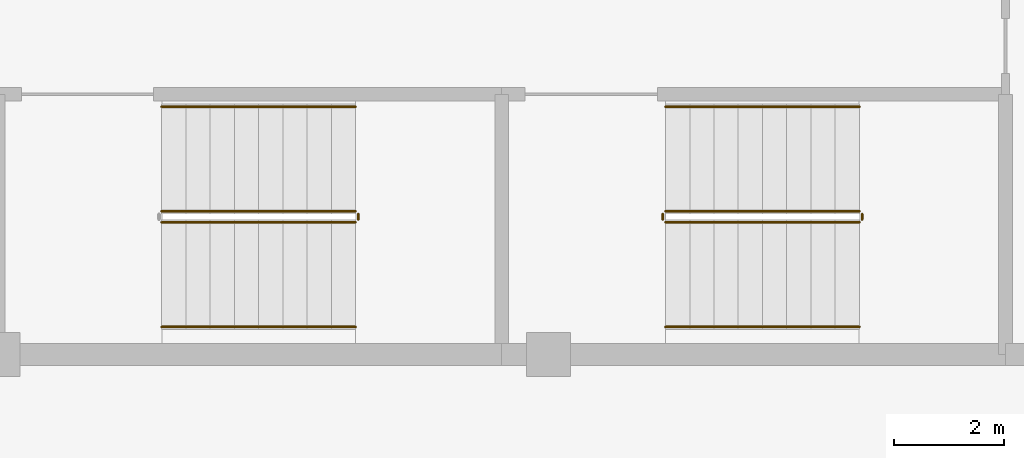
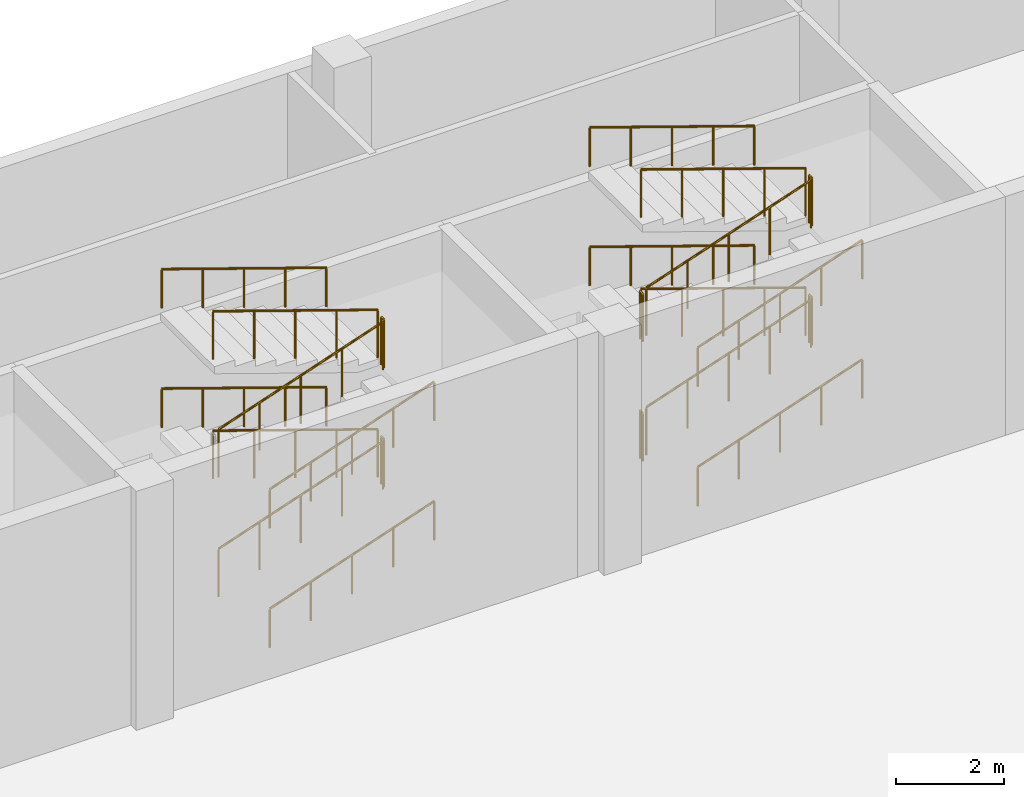
# One storey, part 34 of 35: 22 railings.
"""IFC4 building model written with IfcOpenShell, lengths in metres."""

from ifc_helpers import new_model, si_unit, direction, frame, origin, origin_2d, place, context, subcontext, project, spatial, circle, extrude, material, type_object, element, save


model = new_model("IFC4")

# Units and contexts
model_context = context("Model", 3, precision=1e-05, world=origin(), true_north=direction((0.0, 1.0)))
body_context = subcontext(model_context, "Body", "Model", "MODEL_VIEW")
ifc_project = project(units=[si_unit("LENGTHUNIT", "METRE"), si_unit("AREAUNIT", "SQUARE_METRE"), si_unit("VOLUMEUNIT", "CUBIC_METRE"), si_unit("PLANEANGLEUNIT", "RADIAN"), si_unit("MASSUNIT", "GRAM", prefix="KILO")], contexts=[model_context])

# Site, building, storey
site_placement = place(None, origin())
site = spatial("IfcSite", under=ifc_project, at=site_placement, CompositionType="ELEMENT")
building_placement = place(site_placement, origin())
building = spatial("IfcBuilding", under=site, at=building_placement, Name="Jabali Bay Hotel Tower and Convention Centre", CompositionType="ELEMENT")
storey_placement = place(building_placement, frame((0.0, 0.0, 15.0)))
storey = spatial("IfcBuildingStorey", under=building, at=storey_placement, Name="L02", CompositionType="ELEMENT", Elevation=15.0)

# Railings
ifc_material = material(Name="Stainless steel 304", Category="steel")
railing_type_1 = type_object("IfcRailingType", Name="CC Stair Guard 1100", PredefinedType="GUARDRAIL", material=ifc_material)
railing_1_placement = place(storey_placement, frame((193.675048828125, 102.39990234375, 0.14990234375)))
element("IfcRailing", 1, at=railing_1_placement, inside=storey, type_object=railing_type_1, Name="L02 CC-STN2 stair guard 1", PredefinedType="GUARDRAIL", context=body_context, shape_type="SweptSolid", body=[
    extrude(circle(Radius=0.02392578125, at=origin_2d()), frame((0.0, 0.0, 1.076171875), z_axis=(0.946494694335, 0.0, 0.322719372822), x_axis=(0.0, 1.0, 0.0)), (0.0, 0.0, 1.0), 3.718994140625),
    extrude(circle(Radius=0.02099609375, at=origin_2d()), origin(), (0.0, 0.0, 1.0), 1.052001953125),
    extrude(circle(Radius=0.02099609375, at=origin_2d()), frame((0.8798828125, 0.0, 0.300048828125)), (0.0, 0.0, 1.0), 1.052001953125),
    extrude(circle(Radius=0.02099609375, at=origin_2d()), frame((1.760009765625, 0.0, 0.60009765625)), (0.0, 0.0, 1.0), 1.052001953125),
    extrude(circle(Radius=0.02099609375, at=origin_2d()), frame((2.64013671875, 0.0, 0.900146484375)), (0.0, 0.0, 1.0), 1.052001953125),
    extrude(circle(Radius=0.02099609375, at=origin_2d()), frame((3.52001953125, 0.0, 1.2001953125)), (0.0, 0.0, 1.0), 1.052001953125),
])
railing_2_placement = place(storey_placement, frame((197.2451171875, 102.449951171875, 1.35009765625)))
element("IfcRailing", 2, at=railing_2_placement, inside=storey, type_object=railing_type_1, Name="L02 CC-STN2 stair guard 2", PredefinedType="GUARDRAIL", context=body_context, shape_type="SweptSolid", body=[
    extrude(circle(Radius=0.02392578125, at=origin_2d()), frame((0.0, 0.0, 1.076171875), z_axis=(0.0, 1.0, 0.0), x_axis=(-1.0, 0.0, 0.0)), (0.0, 0.0, 1.0), 0.10009765625),
    extrude(circle(Radius=0.02099609375, at=origin_2d()), origin(), (0.0, 0.0, 1.0), 1.052001953125),
    extrude(circle(Radius=0.02099609375, at=origin_2d()), frame((0.0, 0.10009765625, 0.0)), (0.0, 0.0, 1.0), 1.052001953125),
])
railing_3_placement = place(storey_placement, frame((197.195068359375, 102.60009765625, 1.5)))
element("IfcRailing", 3, at=railing_3_placement, inside=storey, type_object=railing_type_1, Name="L02 CC-STN2 stair guard 3", PredefinedType="GUARDRAIL", context=body_context, shape_type="SweptSolid", body=[
    extrude(circle(Radius=0.02392578125, at=origin_2d()), frame((0.0, 0.0, 1.076171875), z_axis=(-0.946514744872, 0.0, 0.322660561177), x_axis=(0.0, -1.0, 0.0)), (0.0, 0.0, 1.0), 3.718994140625),
    extrude(circle(Radius=0.02099609375, at=origin_2d()), origin(), (0.0, 0.0, 1.0), 1.052001953125),
    extrude(circle(Radius=0.02099609375, at=origin_2d()), frame((-0.8798828125, 0.0, 0.300048828125)), (0.0, 0.0, 1.0), 1.052001953125),
    extrude(circle(Radius=0.02099609375, at=origin_2d()), frame((-1.760009765625, 0.0, 0.60009765625)), (0.0, 0.0, 1.0), 1.052001953125),
    extrude(circle(Radius=0.02099609375, at=origin_2d()), frame((-2.64013671875, 0.0, 0.89990234375)), (0.0, 0.0, 1.0), 1.052001953125),
    extrude(circle(Radius=0.02099609375, at=origin_2d()), frame((-3.52001953125, 0.0, 1.199951171875)), (0.0, 0.0, 1.0), 1.052001953125),
])
railing_4_placement = place(storey_placement, frame((193.675048828125, 102.39990234375, 2.85009765625)))
element("IfcRailing", 4, at=railing_4_placement, inside=storey, type_object=railing_type_1, Name="L02 CC-STN2 stair guard 5", PredefinedType="GUARDRAIL", context=body_context, shape_type="SweptSolid", body=[
    extrude(circle(Radius=0.02392578125, at=origin_2d()), frame((0.0, 0.0, 1.076171875), z_axis=(0.946514744872, 0.0, 0.322660561177), x_axis=(0.0, 1.0, 0.0)), (0.0, 0.0, 1.0), 3.718994140625),
    extrude(circle(Radius=0.02099609375, at=origin_2d()), origin(), (0.0, 0.0, 1.0), 1.052001953125),
    extrude(circle(Radius=0.02099609375, at=origin_2d()), frame((0.8798828125, 0.0, 0.300048828125)), (0.0, 0.0, 1.0), 1.052001953125),
    extrude(circle(Radius=0.02099609375, at=origin_2d()), frame((1.760009765625, 0.0, 0.60009765625)), (0.0, 0.0, 1.0), 1.052001953125),
    extrude(circle(Radius=0.02099609375, at=origin_2d()), frame((2.64013671875, 0.0, 0.89990234375)), (0.0, 0.0, 1.0), 1.052001953125),
    extrude(circle(Radius=0.02099609375, at=origin_2d()), frame((3.52001953125, 0.0, 1.199951171875)), (0.0, 0.0, 1.0), 1.052001953125),
])
railing_5_placement = place(storey_placement, frame((197.2451171875, 102.449951171875, 4.050048828125)))
element("IfcRailing", 5, at=railing_5_placement, inside=storey, type_object=railing_type_1, Name="L02 CC-STN2 stair guard 6", PredefinedType="GUARDRAIL", context=body_context, shape_type="SweptSolid", body=[
    extrude(circle(Radius=0.02392578125, at=origin_2d()), frame((0.0, 0.0, 1.076171875), z_axis=(0.0, 1.0, 0.0), x_axis=(-1.0, 0.0, 0.0)), (0.0, 0.0, 1.0), 0.10009765625),
    extrude(circle(Radius=0.02099609375, at=origin_2d()), origin(), (0.0, 0.0, 1.0), 1.052001953125),
    extrude(circle(Radius=0.02099609375, at=origin_2d()), frame((0.0, 0.10009765625, 0.0)), (0.0, 0.0, 1.0), 1.052001953125),
])
railing_6_placement = place(storey_placement, frame((197.195068359375, 102.60009765625, 4.199951171875)))
element("IfcRailing", 6, at=railing_6_placement, inside=storey, type_object=railing_type_1, Name="L02 CC-STN2 stair guard 7", PredefinedType="GUARDRAIL", context=body_context, shape_type="SweptSolid", body=[
    extrude(circle(Radius=0.02392578125, at=origin_2d()), frame((0.0, 0.0, 1.076171875), z_axis=(-0.946514744872, 0.0, 0.322660561177), x_axis=(0.0, -1.0, 0.0)), (0.0, 0.0, 1.0), 3.718994140625),
    extrude(circle(Radius=0.02099609375, at=origin_2d()), origin(), (0.0, 0.0, 1.0), 1.052001953125),
    extrude(circle(Radius=0.02099609375, at=origin_2d()), frame((-0.8798828125, 0.0, 0.300048828125)), (0.0, 0.0, 1.0), 1.052001953125),
    extrude(circle(Radius=0.02099609375, at=origin_2d()), frame((-1.760009765625, 0.0, 0.60009765625)), (0.0, 0.0, 1.0), 1.052001953125),
    extrude(circle(Radius=0.02099609375, at=origin_2d()), frame((-2.64013671875, 0.0, 0.89990234375)), (0.0, 0.0, 1.0), 1.052001953125),
    extrude(circle(Radius=0.02099609375, at=origin_2d()), frame((-3.52001953125, 0.0, 1.199951171875)), (0.0, 0.0, 1.0), 1.052001953125),
])
railing_7_placement = place(storey_placement, frame((202.824951171875, 102.39990234375, 0.14990234375)))
element("IfcRailing", 7, at=railing_7_placement, inside=storey, type_object=railing_type_1, Name="L02 CC-STN3 stair guard 1", PredefinedType="GUARDRAIL", context=body_context, shape_type="SweptSolid", body=[
    extrude(circle(Radius=0.02392578125, at=origin_2d()), frame((0.0, 0.0, 1.076171875), z_axis=(0.946494694335, 0.0, 0.322719372822), x_axis=(0.0, 1.0, 0.0)), (0.0, 0.0, 1.0), 3.718994140625),
    extrude(circle(Radius=0.02099609375, at=origin_2d()), origin(), (0.0, 0.0, 1.0), 1.052001953125),
    extrude(circle(Radius=0.02099609375, at=origin_2d()), frame((0.8798828125, 0.0, 0.300048828125)), (0.0, 0.0, 1.0), 1.052001953125),
    extrude(circle(Radius=0.02099609375, at=origin_2d()), frame((1.760009765625, 0.0, 0.60009765625)), (0.0, 0.0, 1.0), 1.052001953125),
    extrude(circle(Radius=0.02099609375, at=origin_2d()), frame((2.64013671875, 0.0, 0.900146484375)), (0.0, 0.0, 1.0), 1.052001953125),
    extrude(circle(Radius=0.02099609375, at=origin_2d()), frame((3.52001953125, 0.0, 1.2001953125)), (0.0, 0.0, 1.0), 1.052001953125),
])
railing_8_placement = place(storey_placement, frame((206.39501953125, 102.449951171875, 1.35009765625)))
element("IfcRailing", 8, at=railing_8_placement, inside=storey, type_object=railing_type_1, Name="L02 CC-STN3 stair guard 2", PredefinedType="GUARDRAIL", context=body_context, shape_type="SweptSolid", body=[
    extrude(circle(Radius=0.02392578125, at=origin_2d()), frame((0.0, 0.0, 1.076171875), z_axis=(0.0, 1.0, 0.0), x_axis=(-1.0, 0.0, 0.0)), (0.0, 0.0, 1.0), 0.10009765625),
    extrude(circle(Radius=0.02099609375, at=origin_2d()), origin(), (0.0, 0.0, 1.0), 1.052001953125),
    extrude(circle(Radius=0.02099609375, at=origin_2d()), frame((0.0, 0.10009765625, 0.0)), (0.0, 0.0, 1.0), 1.052001953125),
])
railing_9_placement = place(storey_placement, frame((206.344970703125, 102.60009765625, 1.5)))
element("IfcRailing", 9, at=railing_9_placement, inside=storey, type_object=railing_type_1, Name="L02 CC-STN3 stair guard 3", PredefinedType="GUARDRAIL", context=body_context, shape_type="SweptSolid", body=[
    extrude(circle(Radius=0.02392578125, at=origin_2d()), frame((0.0, 0.0, 1.076171875), z_axis=(-0.946514744872, 0.0, 0.322660561177), x_axis=(0.0, -1.0, 0.0)), (0.0, 0.0, 1.0), 3.718994140625),
    extrude(circle(Radius=0.02099609375, at=origin_2d()), origin(), (0.0, 0.0, 1.0), 1.052001953125),
    extrude(circle(Radius=0.02099609375, at=origin_2d()), frame((-0.8798828125, 0.0, 0.300048828125)), (0.0, 0.0, 1.0), 1.052001953125),
    extrude(circle(Radius=0.02099609375, at=origin_2d()), frame((-1.760009765625, 0.0, 0.60009765625)), (0.0, 0.0, 1.0), 1.052001953125),
    extrude(circle(Radius=0.02099609375, at=origin_2d()), frame((-2.64013671875, 0.0, 0.89990234375)), (0.0, 0.0, 1.0), 1.052001953125),
    extrude(circle(Radius=0.02099609375, at=origin_2d()), frame((-3.52001953125, 0.0, 1.199951171875)), (0.0, 0.0, 1.0), 1.052001953125),
])
railing_10_placement = place(storey_placement, frame((202.77490234375, 102.449951171875, 2.699951171875)))
element("IfcRailing", 10, at=railing_10_placement, inside=storey, type_object=railing_type_1, Name="L02 CC-STN3 stair guard 4", PredefinedType="GUARDRAIL", context=body_context, shape_type="SweptSolid", body=[
    extrude(circle(Radius=0.02392578125, at=origin_2d()), frame((0.0, 0.0, 1.076171875), z_axis=(0.0, 1.0, 0.0), x_axis=(-1.0, 0.0, 0.0)), (0.0, 0.0, 1.0), 0.10009765625),
    extrude(circle(Radius=0.02099609375, at=origin_2d()), origin(), (0.0, 0.0, 1.0), 1.052001953125),
    extrude(circle(Radius=0.02099609375, at=origin_2d()), frame((0.0, 0.10009765625, 0.0)), (0.0, 0.0, 1.0), 1.052001953125),
])
railing_11_placement = place(storey_placement, frame((202.824951171875, 102.39990234375, 2.85009765625)))
element("IfcRailing", 11, at=railing_11_placement, inside=storey, type_object=railing_type_1, Name="L02 CC-STN3 stair guard 5", PredefinedType="GUARDRAIL", context=body_context, shape_type="SweptSolid", body=[
    extrude(circle(Radius=0.02392578125, at=origin_2d()), frame((0.0, 0.0, 1.076171875), z_axis=(0.946514744872, 0.0, 0.322660561177), x_axis=(0.0, 1.0, 0.0)), (0.0, 0.0, 1.0), 3.718994140625),
    extrude(circle(Radius=0.02099609375, at=origin_2d()), origin(), (0.0, 0.0, 1.0), 1.052001953125),
    extrude(circle(Radius=0.02099609375, at=origin_2d()), frame((0.8798828125, 0.0, 0.300048828125)), (0.0, 0.0, 1.0), 1.052001953125),
    extrude(circle(Radius=0.02099609375, at=origin_2d()), frame((1.760009765625, 0.0, 0.60009765625)), (0.0, 0.0, 1.0), 1.052001953125),
    extrude(circle(Radius=0.02099609375, at=origin_2d()), frame((2.64013671875, 0.0, 0.89990234375)), (0.0, 0.0, 1.0), 1.052001953125),
    extrude(circle(Radius=0.02099609375, at=origin_2d()), frame((3.52001953125, 0.0, 1.199951171875)), (0.0, 0.0, 1.0), 1.052001953125),
])
railing_12_placement = place(storey_placement, frame((206.39501953125, 102.449951171875, 4.050048828125)))
element("IfcRailing", 12, at=railing_12_placement, inside=storey, type_object=railing_type_1, Name="L02 CC-STN3 stair guard 6", PredefinedType="GUARDRAIL", context=body_context, shape_type="SweptSolid", body=[
    extrude(circle(Radius=0.02392578125, at=origin_2d()), frame((0.0, 0.0, 1.076171875), z_axis=(0.0, 1.0, 0.0), x_axis=(-1.0, 0.0, 0.0)), (0.0, 0.0, 1.0), 0.10009765625),
    extrude(circle(Radius=0.02099609375, at=origin_2d()), origin(), (0.0, 0.0, 1.0), 1.052001953125),
    extrude(circle(Radius=0.02099609375, at=origin_2d()), frame((0.0, 0.10009765625, 0.0)), (0.0, 0.0, 1.0), 1.052001953125),
])
railing_13_placement = place(storey_placement, frame((206.344970703125, 102.60009765625, 4.199951171875)))
element("IfcRailing", 13, at=railing_13_placement, inside=storey, type_object=railing_type_1, Name="L02 CC-STN3 stair guard 7", PredefinedType="GUARDRAIL", context=body_context, shape_type="SweptSolid", body=[
    extrude(circle(Radius=0.02392578125, at=origin_2d()), frame((0.0, 0.0, 1.076171875), z_axis=(-0.946514744872, 0.0, 0.322660561177), x_axis=(0.0, -1.0, 0.0)), (0.0, 0.0, 1.0), 3.718994140625),
    extrude(circle(Radius=0.02099609375, at=origin_2d()), origin(), (0.0, 0.0, 1.0), 1.052001953125),
    extrude(circle(Radius=0.02099609375, at=origin_2d()), frame((-0.8798828125, 0.0, 0.300048828125)), (0.0, 0.0, 1.0), 1.052001953125),
    extrude(circle(Radius=0.02099609375, at=origin_2d()), frame((-1.760009765625, 0.0, 0.60009765625)), (0.0, 0.0, 1.0), 1.052001953125),
    extrude(circle(Radius=0.02099609375, at=origin_2d()), frame((-2.64013671875, 0.0, 0.89990234375)), (0.0, 0.0, 1.0), 1.052001953125),
    extrude(circle(Radius=0.02099609375, at=origin_2d()), frame((-3.52001953125, 0.0, 1.199951171875)), (0.0, 0.0, 1.0), 1.052001953125),
])
railing_14_placement = place(storey_placement, frame((202.77490234375, 102.449951171875, 0.0)))
element("IfcRailing", 14, at=railing_14_placement, inside=storey, type_object=railing_type_1, Name="L02 CC-STN3 stair guard 8", PredefinedType="GUARDRAIL", context=body_context, shape_type="SweptSolid", body=[
    extrude(circle(Radius=0.02392578125, at=origin_2d()), frame((0.0, 0.0, 1.076171875), z_axis=(0.0, 1.0, 0.0), x_axis=(-1.0, 0.0, 0.0)), (0.0, 0.0, 1.0), 0.10009765625),
    extrude(circle(Radius=0.02099609375, at=origin_2d()), origin(), (0.0, 0.0, 1.0), 1.052001953125),
    extrude(circle(Radius=0.02099609375, at=origin_2d()), frame((0.0, 0.10009765625, 0.0)), (0.0, 0.0, 1.0), 1.052001953125),
])
railing_type_2 = type_object("IfcRailingType", Name="CC Stair Handrail 900", PredefinedType="HANDRAIL", material=ifc_material)
railing_15_placement = place(storey_placement, frame((193.675048828125, 100.5, 0.14990234375)))
element("IfcRailing", 15, at=railing_15_placement, inside=storey, type_object=railing_type_2, Name="L02 CC-STN2 stair handrail 1", PredefinedType="HANDRAIL", context=body_context, shape_type="SweptSolid", body=[
    extrude(circle(Radius=0.02392578125, at=origin_2d()), frame((0.0, 0.0, 0.8759765625), z_axis=(0.946494694335, 0.0, 0.322719372822), x_axis=(0.0, 1.0, 0.0)), (0.0, 0.0, 1.0), 3.718994140625),
    extrude(circle(Radius=0.02099609375, at=origin_2d()), origin(), (0.0, 0.0, 1.0), 0.851806640625),
    extrude(circle(Radius=0.02099609375, at=origin_2d()), frame((0.8798828125, 0.0, 0.300048828125)), (0.0, 0.0, 1.0), 0.851806640625),
    extrude(circle(Radius=0.02099609375, at=origin_2d()), frame((1.760009765625, 0.0, 0.60009765625)), (0.0, 0.0, 1.0), 0.851806640625),
    extrude(circle(Radius=0.02099609375, at=origin_2d()), frame((2.64013671875, 0.0, 0.900146484375)), (0.0, 0.0, 1.0), 0.851806640625),
    extrude(circle(Radius=0.02099609375, at=origin_2d()), frame((3.52001953125, 0.0, 1.2001953125)), (0.0, 0.0, 1.0), 0.851806640625),
])
railing_16_placement = place(storey_placement, frame((197.195068359375, 104.5, 1.5)))
element("IfcRailing", 16, at=railing_16_placement, inside=storey, type_object=railing_type_2, Name="L02 CC-STN2 stair handrail 2", PredefinedType="HANDRAIL", context=body_context, shape_type="SweptSolid", body=[
    extrude(circle(Radius=0.02392578125, at=origin_2d()), frame((0.0, 0.0, 0.8759765625), z_axis=(-0.946514744872, 0.0, 0.322660561177), x_axis=(0.0, -1.0, 0.0)), (0.0, 0.0, 1.0), 3.718994140625),
    extrude(circle(Radius=0.02099609375, at=origin_2d()), origin(), (0.0, 0.0, 1.0), 0.851806640625),
    extrude(circle(Radius=0.02099609375, at=origin_2d()), frame((-0.8798828125, 0.0, 0.300048828125)), (0.0, 0.0, 1.0), 0.851806640625),
    extrude(circle(Radius=0.02099609375, at=origin_2d()), frame((-1.760009765625, 0.0, 0.60009765625)), (0.0, 0.0, 1.0), 0.851806640625),
    extrude(circle(Radius=0.02099609375, at=origin_2d()), frame((-2.64013671875, 0.0, 0.89990234375)), (0.0, 0.0, 1.0), 0.851806640625),
    extrude(circle(Radius=0.02099609375, at=origin_2d()), frame((-3.52001953125, 0.0, 1.199951171875)), (0.0, 0.0, 1.0), 0.851806640625),
])
railing_17_placement = place(storey_placement, frame((193.675048828125, 100.5, 2.85009765625)))
element("IfcRailing", 17, at=railing_17_placement, inside=storey, type_object=railing_type_2, Name="L02 CC-STN2 stair handrail 3", PredefinedType="HANDRAIL", context=body_context, shape_type="SweptSolid", body=[
    extrude(circle(Radius=0.02392578125, at=origin_2d()), frame((0.0, 0.0, 0.8759765625), z_axis=(0.946514744872, 0.0, 0.322660561177), x_axis=(0.0, 1.0, 0.0)), (0.0, 0.0, 1.0), 3.718994140625),
    extrude(circle(Radius=0.02099609375, at=origin_2d()), origin(), (0.0, 0.0, 1.0), 0.851806640625),
    extrude(circle(Radius=0.02099609375, at=origin_2d()), frame((0.8798828125, 0.0, 0.300048828125)), (0.0, 0.0, 1.0), 0.851806640625),
    extrude(circle(Radius=0.02099609375, at=origin_2d()), frame((1.760009765625, 0.0, 0.60009765625)), (0.0, 0.0, 1.0), 0.851806640625),
    extrude(circle(Radius=0.02099609375, at=origin_2d()), frame((2.64013671875, 0.0, 0.89990234375)), (0.0, 0.0, 1.0), 0.851806640625),
    extrude(circle(Radius=0.02099609375, at=origin_2d()), frame((3.52001953125, 0.0, 1.199951171875)), (0.0, 0.0, 1.0), 0.851806640625),
])
railing_18_placement = place(storey_placement, frame((197.195068359375, 104.5, 4.199951171875)))
element("IfcRailing", 18, at=railing_18_placement, inside=storey, type_object=railing_type_2, Name="L02 CC-STN2 stair handrail 4", PredefinedType="HANDRAIL", context=body_context, shape_type="SweptSolid", body=[
    extrude(circle(Radius=0.02392578125, at=origin_2d()), frame((0.0, 0.0, 0.8759765625), z_axis=(-0.946514744872, 0.0, 0.322660561177), x_axis=(0.0, -1.0, 0.0)), (0.0, 0.0, 1.0), 3.718994140625),
    extrude(circle(Radius=0.02099609375, at=origin_2d()), origin(), (0.0, 0.0, 1.0), 0.851806640625),
    extrude(circle(Radius=0.02099609375, at=origin_2d()), frame((-0.8798828125, 0.0, 0.300048828125)), (0.0, 0.0, 1.0), 0.851806640625),
    extrude(circle(Radius=0.02099609375, at=origin_2d()), frame((-1.760009765625, 0.0, 0.60009765625)), (0.0, 0.0, 1.0), 0.851806640625),
    extrude(circle(Radius=0.02099609375, at=origin_2d()), frame((-2.64013671875, 0.0, 0.89990234375)), (0.0, 0.0, 1.0), 0.851806640625),
    extrude(circle(Radius=0.02099609375, at=origin_2d()), frame((-3.52001953125, 0.0, 1.199951171875)), (0.0, 0.0, 1.0), 0.851806640625),
])
railing_19_placement = place(storey_placement, frame((202.824951171875, 100.5, 0.14990234375)))
element("IfcRailing", 19, at=railing_19_placement, inside=storey, type_object=railing_type_2, Name="L02 CC-STN3 stair handrail 1", PredefinedType="HANDRAIL", context=body_context, shape_type="SweptSolid", body=[
    extrude(circle(Radius=0.02392578125, at=origin_2d()), frame((0.0, 0.0, 0.8759765625), z_axis=(0.946494694335, 0.0, 0.322719372822), x_axis=(0.0, 1.0, 0.0)), (0.0, 0.0, 1.0), 3.718994140625),
    extrude(circle(Radius=0.02099609375, at=origin_2d()), origin(), (0.0, 0.0, 1.0), 0.851806640625),
    extrude(circle(Radius=0.02099609375, at=origin_2d()), frame((0.8798828125, 0.0, 0.300048828125)), (0.0, 0.0, 1.0), 0.851806640625),
    extrude(circle(Radius=0.02099609375, at=origin_2d()), frame((1.760009765625, 0.0, 0.60009765625)), (0.0, 0.0, 1.0), 0.851806640625),
    extrude(circle(Radius=0.02099609375, at=origin_2d()), frame((2.64013671875, 0.0, 0.900146484375)), (0.0, 0.0, 1.0), 0.851806640625),
    extrude(circle(Radius=0.02099609375, at=origin_2d()), frame((3.52001953125, 0.0, 1.2001953125)), (0.0, 0.0, 1.0), 0.851806640625),
])
railing_20_placement = place(storey_placement, frame((206.344970703125, 104.5, 1.5)))
element("IfcRailing", 20, at=railing_20_placement, inside=storey, type_object=railing_type_2, Name="L02 CC-STN3 stair handrail 2", PredefinedType="HANDRAIL", context=body_context, shape_type="SweptSolid", body=[
    extrude(circle(Radius=0.02392578125, at=origin_2d()), frame((0.0, 0.0, 0.8759765625), z_axis=(-0.946514744872, 0.0, 0.322660561177), x_axis=(0.0, -1.0, 0.0)), (0.0, 0.0, 1.0), 3.718994140625),
    extrude(circle(Radius=0.02099609375, at=origin_2d()), origin(), (0.0, 0.0, 1.0), 0.851806640625),
    extrude(circle(Radius=0.02099609375, at=origin_2d()), frame((-0.8798828125, 0.0, 0.300048828125)), (0.0, 0.0, 1.0), 0.851806640625),
    extrude(circle(Radius=0.02099609375, at=origin_2d()), frame((-1.760009765625, 0.0, 0.60009765625)), (0.0, 0.0, 1.0), 0.851806640625),
    extrude(circle(Radius=0.02099609375, at=origin_2d()), frame((-2.64013671875, 0.0, 0.89990234375)), (0.0, 0.0, 1.0), 0.851806640625),
    extrude(circle(Radius=0.02099609375, at=origin_2d()), frame((-3.52001953125, 0.0, 1.199951171875)), (0.0, 0.0, 1.0), 0.851806640625),
])
railing_21_placement = place(storey_placement, frame((202.824951171875, 100.5, 2.85009765625)))
element("IfcRailing", 21, at=railing_21_placement, inside=storey, type_object=railing_type_2, Name="L02 CC-STN3 stair handrail 3", PredefinedType="HANDRAIL", context=body_context, shape_type="SweptSolid", body=[
    extrude(circle(Radius=0.02392578125, at=origin_2d()), frame((0.0, 0.0, 0.8759765625), z_axis=(0.946514744872, 0.0, 0.322660561177), x_axis=(0.0, 1.0, 0.0)), (0.0, 0.0, 1.0), 3.718994140625),
    extrude(circle(Radius=0.02099609375, at=origin_2d()), origin(), (0.0, 0.0, 1.0), 0.851806640625),
    extrude(circle(Radius=0.02099609375, at=origin_2d()), frame((0.8798828125, 0.0, 0.300048828125)), (0.0, 0.0, 1.0), 0.851806640625),
    extrude(circle(Radius=0.02099609375, at=origin_2d()), frame((1.760009765625, 0.0, 0.60009765625)), (0.0, 0.0, 1.0), 0.851806640625),
    extrude(circle(Radius=0.02099609375, at=origin_2d()), frame((2.64013671875, 0.0, 0.89990234375)), (0.0, 0.0, 1.0), 0.851806640625),
    extrude(circle(Radius=0.02099609375, at=origin_2d()), frame((3.52001953125, 0.0, 1.199951171875)), (0.0, 0.0, 1.0), 0.851806640625),
])
railing_22_placement = place(storey_placement, frame((206.344970703125, 104.5, 4.199951171875)))
element("IfcRailing", 22, at=railing_22_placement, inside=storey, type_object=railing_type_2, Name="L02 CC-STN3 stair handrail 4", PredefinedType="HANDRAIL", context=body_context, shape_type="SweptSolid", body=[
    extrude(circle(Radius=0.02392578125, at=origin_2d()), frame((0.0, 0.0, 0.8759765625), z_axis=(-0.946514744872, 0.0, 0.322660561177), x_axis=(0.0, -1.0, 0.0)), (0.0, 0.0, 1.0), 3.718994140625),
    extrude(circle(Radius=0.02099609375, at=origin_2d()), origin(), (0.0, 0.0, 1.0), 0.851806640625),
    extrude(circle(Radius=0.02099609375, at=origin_2d()), frame((-0.8798828125, 0.0, 0.300048828125)), (0.0, 0.0, 1.0), 0.851806640625),
    extrude(circle(Radius=0.02099609375, at=origin_2d()), frame((-1.760009765625, 0.0, 0.60009765625)), (0.0, 0.0, 1.0), 0.851806640625),
    extrude(circle(Radius=0.02099609375, at=origin_2d()), frame((-2.64013671875, 0.0, 0.89990234375)), (0.0, 0.0, 1.0), 0.851806640625),
    extrude(circle(Radius=0.02099609375, at=origin_2d()), frame((-3.52001953125, 0.0, 1.199951171875)), (0.0, 0.0, 1.0), 0.851806640625),
])

save(model, "model.ifc")
